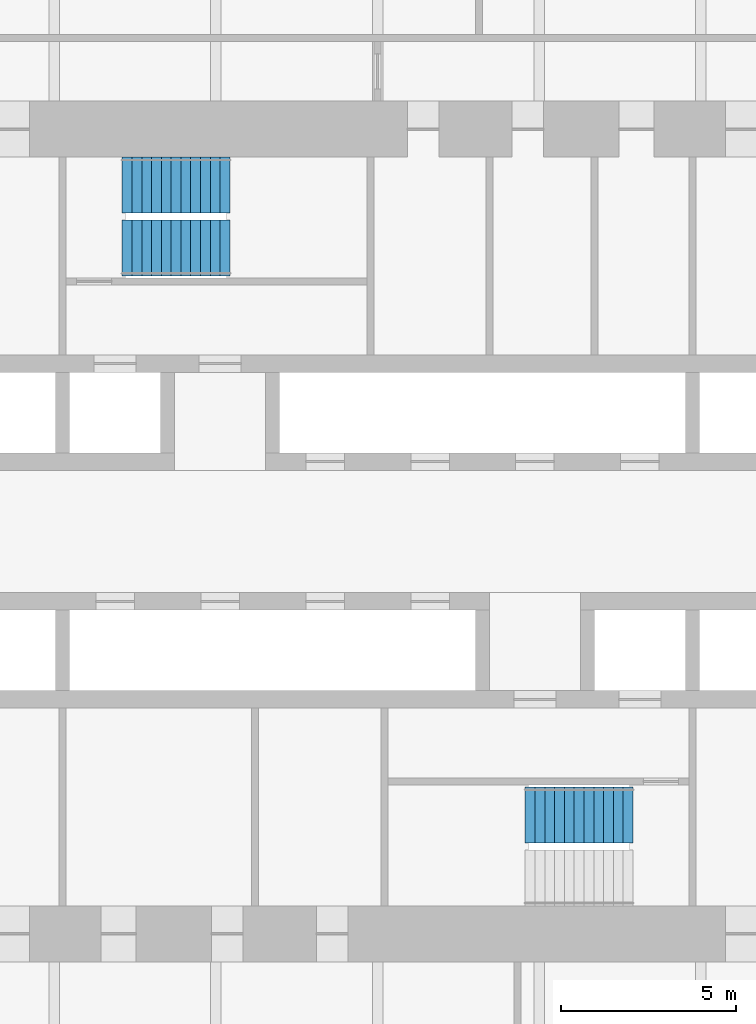
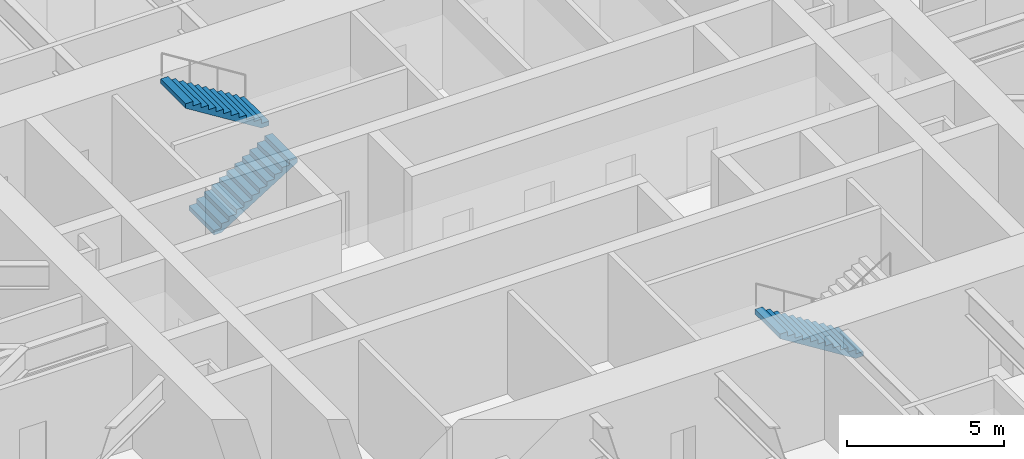
# One storey, part 18 of 20: 3 stair flights, 2 elements without a shape of their own.
"""IFC4 building model written with IfcOpenShell, lengths in metres."""

import ifcopenshell
import ifcopenshell.guid

model = None  # the IFC model being written
_history = None  # IfcOwnerHistory: only IFC2X3 demands one
_inside = {}  # id of a spatial element -> (the spatial element, [elements in it])
_under = {}  # id of a project, library or spatial element -> (it, [spatial elements below it])
_declared = {}  # id of a project -> (the project, [libraries it declares])
_typed = {}  # id of a type object -> (the type object, [elements of that type])
_made_of = {}  # id of a material, layer set ... -> (it, [elements and type objects made of it])


def new_model(schema):
    """Start an empty IFC model of exactly this schema.

    Asked for "IFC4X3", IfcOpenShell would pick the latest addendum, in which some entities
    have other attributes; the version numbers below select the first issue.
    IFC2X3 requires an IfcOwnerHistory on every rooted entity: one is made here for all.
    """
    global model, _history
    if schema == "IFC4X3":
        model = ifcopenshell.file(schema_version=(4, 3, 0, 0))
    else:
        model = ifcopenshell.file(schema=schema)
    _inside.clear()
    _under.clear()
    _declared.clear()
    _typed.clear()
    _made_of.clear()
    _history = None
    if model.schema == "IFC2X3":
        org = make("IfcOrganization", Name="unknown")
        user = make(
            "IfcPersonAndOrganization",
            ThePerson=make("IfcPerson", FamilyName="unknown"),
            TheOrganization=org,
        )
        app = make(
            "IfcApplication",
            ApplicationDeveloper=org,
            Version="unknown",
            ApplicationFullName="unknown",
            ApplicationIdentifier="unknown",
        )
        _history = make(
            "IfcOwnerHistory",
            OwningUser=user,
            OwningApplication=app,
            ChangeAction="ADDED",
            CreationDate=0,
        )
    return model


def make(cls, **values):
    """One entity of the class cls with the attributes given. An attribute that is None is left unset."""
    return model.create_entity(
        cls, **{name: value for name, value in values.items() if value is not None}
    )


def rooted(cls, **values):
    """An entity with a GlobalId (a new one), such as an element, a storey or a relation."""
    return make(cls, GlobalId=ifcopenshell.guid.new(), OwnerHistory=_history, **values)


def si_unit(unit_type, name, prefix=None):
    """IfcSIUnit, for example si_unit("LENGTHUNIT", "METRE", prefix="MILLI")."""
    return make("IfcSIUnit", UnitType=unit_type, Prefix=prefix, Name=name)


def assignment(units):
    """IfcUnitAssignment: the units of a project."""
    return None if units is None else make("IfcUnitAssignment", Units=units)


def point(xyz):
    """IfcCartesianPoint."""
    return None if xyz is None else make("IfcCartesianPoint", Coordinates=xyz)


def direction(xyz):
    """IfcDirection."""
    return None if xyz is None else make("IfcDirection", DirectionRatios=xyz)


def frame(location, z_axis=None, x_axis=None):
    """IfcAxis2Placement3D, a coordinate frame: its origin and axes. An axis left out is left unset."""
    return make(
        "IfcAxis2Placement3D",
        Location=point(location),
        Axis=direction(z_axis),
        RefDirection=direction(x_axis),
    )


def origin():
    """The frame at (0, 0, 0) with its axes left unset."""
    return frame((0.0, 0.0, 0.0))


def place(relative_to, where):
    """IfcLocalPlacement: puts the frame where relative to a parent placement (None: the world)."""
    return make(
        "IfcLocalPlacement", PlacementRelTo=relative_to, RelativePlacement=where
    )


def context(
    kind, dimensions, precision=None, world=None, true_north=None, identifier=None
):
    """IfcGeometricRepresentationContext, for example the 3D "Model" context."""
    return make(
        "IfcGeometricRepresentationContext",
        ContextIdentifier=identifier,
        ContextType=kind,
        CoordinateSpaceDimension=dimensions,
        Precision=precision,
        WorldCoordinateSystem=world,
        TrueNorth=true_north,
    )


def subcontext(parent, identifier, kind, view, scale=None):
    """IfcGeometricRepresentationSubContext, for example "Body" below "Model"."""
    return make(
        "IfcGeometricRepresentationSubContext",
        ContextIdentifier=identifier,
        ContextType=kind,
        ParentContext=parent,
        TargetScale=scale,
        TargetView=view,
    )


def project(units=None, contexts=None):
    """IfcProject with its units and contexts."""
    return rooted(
        "IfcProject",
        Name="project",
        RepresentationContexts=contexts,
        UnitsInContext=assignment(units),
    )


def spatial(cls, under=None, at=None, **own):
    """A site, building, storey or space (cls), placed at a placement, below another one or the project."""
    s = rooted(cls, ObjectPlacement=at, **own)
    if under is not None:
        _under.setdefault(under.id(), (under, []))[1].append(s)
    return s


def polyline(points):
    """IfcPolyline through the points."""
    return make("IfcPolyline", Points=[point(p) for p in points])


def outline(outer, holes=None, kind="AREA"):
    """IfcArbitraryClosedProfileDef: a profile drawn as a closed curve; with holes, ...WithVoids."""
    if holes is None:
        return make("IfcArbitraryClosedProfileDef", ProfileType=kind, OuterCurve=outer)
    return make(
        "IfcArbitraryProfileDefWithVoids",
        ProfileType=kind,
        OuterCurve=outer,
        InnerCurves=holes,
    )


def extrude(swept, where, along, depth):
    """IfcExtrudedAreaSolid: the profile swept, set in the frame where, extruded along a direction by depth."""
    return make(
        "IfcExtrudedAreaSolid",
        SweptArea=swept,
        Position=where,
        ExtrudedDirection=direction(along),
        Depth=depth,
    )


def shape(context_of_items, identifier, shape_type, items):
    """IfcShapeRepresentation: the items that make up one representation, for example the "Body"."""
    return make(
        "IfcShapeRepresentation",
        ContextOfItems=context_of_items,
        RepresentationIdentifier=identifier,
        RepresentationType=shape_type,
        Items=items,
    )


def material(Name=None, Category=None):
    """IfcMaterial."""
    return make("IfcMaterial", Name=Name, Category=Category)


def made_of(thing, what):
    """Note that an element or type object is made of a material, layer set ...; save() writes the relation."""
    if what is not None:
        _made_of.setdefault(what.id(), (what, []))[1].append(thing)
    return thing


def type_object(cls, material=None, **own):
    """A type object (cls), such as IfcWallType, which elements share."""
    return made_of(rooted(cls, **own), material)


def element(
    cls,
    number,
    at=None,
    inside=None,
    cuts=None,
    type_object=None,
    material=None,
    context=None,
    identifier="Body",
    shape_type=None,
    held_by="IfcProductDefinitionShape",
    body=None,
    shapes=None,
    **own,
):
    """One element of the class cls, such as IfcWall. Its Tag is "e" and its number.

    at: its placement. inside: the storey or other place that contains it. cuts: it is an
    opening in that element (IfcRelVoidsElement). A single representation is given by context,
    identifier, shape_type and body (its items); several are given by shapes. held_by: the class
    of the entity that holds the representations. save() writes the other relations.
    """
    e = rooted(cls, Tag="e%d" % number, ObjectPlacement=at, **own)
    if body is not None:
        shapes = [shape(context, identifier, shape_type, body)]
    if shapes is not None:
        e.Representation = make(held_by, Representations=shapes)
    if inside is not None:
        _inside.setdefault(inside.id(), (inside, []))[1].append(e)
    if cuts is not None:
        rooted(
            "IfcRelVoidsElement", RelatingBuildingElement=cuts, RelatedOpeningElement=e
        )
    if type_object is not None:
        _typed.setdefault(type_object.id(), (type_object, []))[1].append(e)
    return made_of(e, material)


def aggregate(whole, parts):
    """IfcRelAggregates: a whole, such as a stair, and the parts it consists of."""
    return rooted("IfcRelAggregates", RelatingObject=whole, RelatedObjects=parts)


def save(model, path):
    """Write the relations noted so far, then the file.

    IfcRelAggregates (storeys below a building ...), IfcRelContainedInSpatialStructure (elements
    in a storey), IfcRelDefinesByType, IfcRelAssociatesMaterial and IfcRelDeclares: one each for
    every whole, place, type object, material and project.
    """
    for whole, parts in _under.values():
        aggregate(whole, parts)
    for where, things in _inside.values():
        rooted(
            "IfcRelContainedInSpatialStructure",
            RelatedElements=things,
            RelatingStructure=where,
        )
    for kind, things in _typed.values():
        rooted("IfcRelDefinesByType", RelatedObjects=things, RelatingType=kind)
    for what, things in _made_of.values():
        rooted("IfcRelAssociatesMaterial", RelatedObjects=things, RelatingMaterial=what)
    for by, libraries in _declared.values():
        rooted("IfcRelDeclares", RelatingContext=by, RelatedDefinitions=libraries)
    model.write(path)


model = new_model("IFC4")

# Units and contexts
model_context = context("Model", 3, precision=1e-05, world=origin(), true_north=direction((0.0, 1.0)))
body_context = subcontext(model_context, "Body", "Model", "MODEL_VIEW")
ifc_project = project(units=[si_unit("LENGTHUNIT", "METRE"), si_unit("AREAUNIT", "SQUARE_METRE"), si_unit("VOLUMEUNIT", "CUBIC_METRE"), si_unit("PLANEANGLEUNIT", "RADIAN"), si_unit("MASSUNIT", "GRAM", prefix="KILO")], contexts=[model_context])

# Site, building, storey
site_placement = place(None, origin())
site = spatial("IfcSite", under=ifc_project, at=site_placement, CompositionType="ELEMENT")
building_placement = place(site_placement, origin())
building = spatial("IfcBuilding", under=site, at=building_placement, Name="Tarfa Lantern Tower", CompositionType="ELEMENT")
storey_placement = place(building_placement, frame((0.0, 0.0, 228.10009765625)))
storey = spatial("IfcBuildingStorey", under=building, at=storey_placement, Name="L51", CompositionType="ELEMENT", Elevation=228.10009765625)

# Stair, stair flights
ifc_material = material(Name="Concrete C40/50", Category="concrete")
stair_type = type_object("IfcStairType", Name="ST-T10 HALF-TURN STAIR 4200 RISE", PredefinedType="HALF_TURN_STAIR", material=ifc_material)
stair_1_placement = place(storey_placement, origin())
stair_1 = element("IfcStair", 1, at=stair_1_placement, inside=storey, type_object=stair_type, Name="Stair ST1", PredefinedType="HALF_TURN_STAIR")
stair_flight_type = type_object("IfcStairFlightType", Name="SF1 STAIR FLIGHT", PredefinedType="STRAIGHT", material=ifc_material)
stair_flight_1_placement = place(storey_placement, frame((-7.300048828125, 8.10009765625, 0.0), z_axis=(0.0, 0.0, 1.0), x_axis=(1.0, 0.0, 0.0)))
stair_flight_1 = element("IfcStairFlight", 2, at=stair_flight_1_placement, type_object=stair_flight_type, Name="ST1 flight 1", NumberOfRisers=12, NumberOfTreads=11, PredefinedType="STRAIGHT", RiserHeight=0.175, TreadLength=0.28, context=body_context, shape_type="SweptSolid", body=[
    extrude(outline(polyline([(0.0, 0.0), (0.0, 0.175048828125), (0.280029296875, 0.175048828125), (0.280029296875, 0.35009765625), (0.56005859375, 0.35009765625), (0.56005859375, 0.52490234375), (0.840087890625, 0.52490234375), (0.840087890625, 0.699951171875), (1.1201171875, 0.699951171875), (1.1201171875, 0.875), (1.39990234375, 0.875), (1.39990234375, 1.050048828125), (1.679931640625, 1.050048828125), (1.679931640625, 1.22509765625), (1.9599609375, 1.22509765625), (1.9599609375, 1.39990234375), (2.239990234375, 1.39990234375), (2.239990234375, 1.574951171875), (2.52001953125, 1.574951171875), (2.52001953125, 1.75), (2.800048828125, 1.75), (2.800048828125, 1.925048828125), (3.080078125, 1.925048828125), (3.080078125, 2.10009765625), (3.080078125, 1.748291015625), (0.28271484375, 0.0), (0.0, 0.0)])), frame((0.0, 0.800048828125, 0.0), z_axis=(0.0, -1.0, 0.0), x_axis=(1.0, 0.0, 0.0)), (0.0, 0.0, 1.0), 1.60009765625),
])
stair_flight_2_placement = place(storey_placement, frame((-4.219970703125, 9.89990234375, 2.099853515625), z_axis=(0.0, 0.0, 1.0), x_axis=(-1.0, 0.0, 0.0)))
stair_flight_2 = element("IfcStairFlight", 3, at=stair_flight_2_placement, type_object=stair_flight_type, Name="ST1 flight 2", NumberOfRisers=12, NumberOfTreads=11, PredefinedType="STRAIGHT", RiserHeight=0.175, TreadLength=0.28, context=body_context, shape_type="SweptSolid", body=[
    extrude(outline(polyline([(0.0, 0.0), (0.0, 0.175048828125), (0.280029296875, 0.175048828125), (0.280029296875, 0.35009765625), (0.56005859375, 0.35009765625), (0.56005859375, 0.52490234375), (0.840087890625, 0.52490234375), (0.840087890625, 0.699951171875), (1.1201171875, 0.699951171875), (1.1201171875, 0.875), (1.39990234375, 0.875), (1.39990234375, 1.050048828125), (1.679931640625, 1.050048828125), (1.679931640625, 1.22509765625), (1.9599609375, 1.22509765625), (1.9599609375, 1.39990234375), (2.239990234375, 1.39990234375), (2.239990234375, 1.574951171875), (2.52001953125, 1.574951171875), (2.52001953125, 1.75), (2.800048828125, 1.75), (2.800048828125, 1.925048828125), (3.080078125, 1.925048828125), (3.080078125, 2.10009765625), (3.080078125, 1.748291015625), (0.28271484375, 0.0), (0.0, 0.0)])), frame((0.0, 0.800048828125, 0.0), z_axis=(0.0, -1.0, 0.0), x_axis=(1.0, 0.0, 0.0)), (0.0, 0.0, 1.0), 1.60009765625),
])
aggregate(stair_1, [stair_flight_1, stair_flight_2])

# Stair, stair flight
stair_2_placement = place(storey_placement, origin())
stair_2 = element("IfcStair", 4, at=stair_2_placement, inside=storey, type_object=stair_type, Name="Stair ST2", PredefinedType="HALF_TURN_STAIR")
stair_flight_3_placement = place(storey_placement, frame((7.300048828125, -8.10009765625, 0.0), z_axis=(0.0, 0.0, 1.0), x_axis=(-1.0, 0.0, 0.0)))
stair_flight_3 = element("IfcStairFlight", 5, at=stair_flight_3_placement, type_object=stair_flight_type, Name="ST2 flight 1", NumberOfRisers=12, NumberOfTreads=11, PredefinedType="STRAIGHT", RiserHeight=0.175, TreadLength=0.28, context=body_context, shape_type="SweptSolid", body=[
    extrude(outline(polyline([(0.0, 0.0), (0.0, 0.175048828125), (0.280029296875, 0.175048828125), (0.280029296875, 0.35009765625), (0.56005859375, 0.35009765625), (0.56005859375, 0.52490234375), (0.840087890625, 0.52490234375), (0.840087890625, 0.699951171875), (1.1201171875, 0.699951171875), (1.1201171875, 0.875), (1.39990234375, 0.875), (1.39990234375, 1.050048828125), (1.679931640625, 1.050048828125), (1.679931640625, 1.22509765625), (1.9599609375, 1.22509765625), (1.9599609375, 1.39990234375), (2.239990234375, 1.39990234375), (2.239990234375, 1.574951171875), (2.52001953125, 1.574951171875), (2.52001953125, 1.75), (2.800048828125, 1.75), (2.800048828125, 1.925048828125), (3.080078125, 1.925048828125), (3.080078125, 2.10009765625), (3.080078125, 1.748291015625), (0.28271484375, 0.0), (0.0, 0.0)])), frame((0.0, 0.800048828125, 0.0), z_axis=(0.0, -1.0, 0.0), x_axis=(1.0, 0.0, 0.0)), (0.0, 0.0, 1.0), 1.60009765625),
])
aggregate(stair_2, [stair_flight_3])

save(model, "model.ifc")
